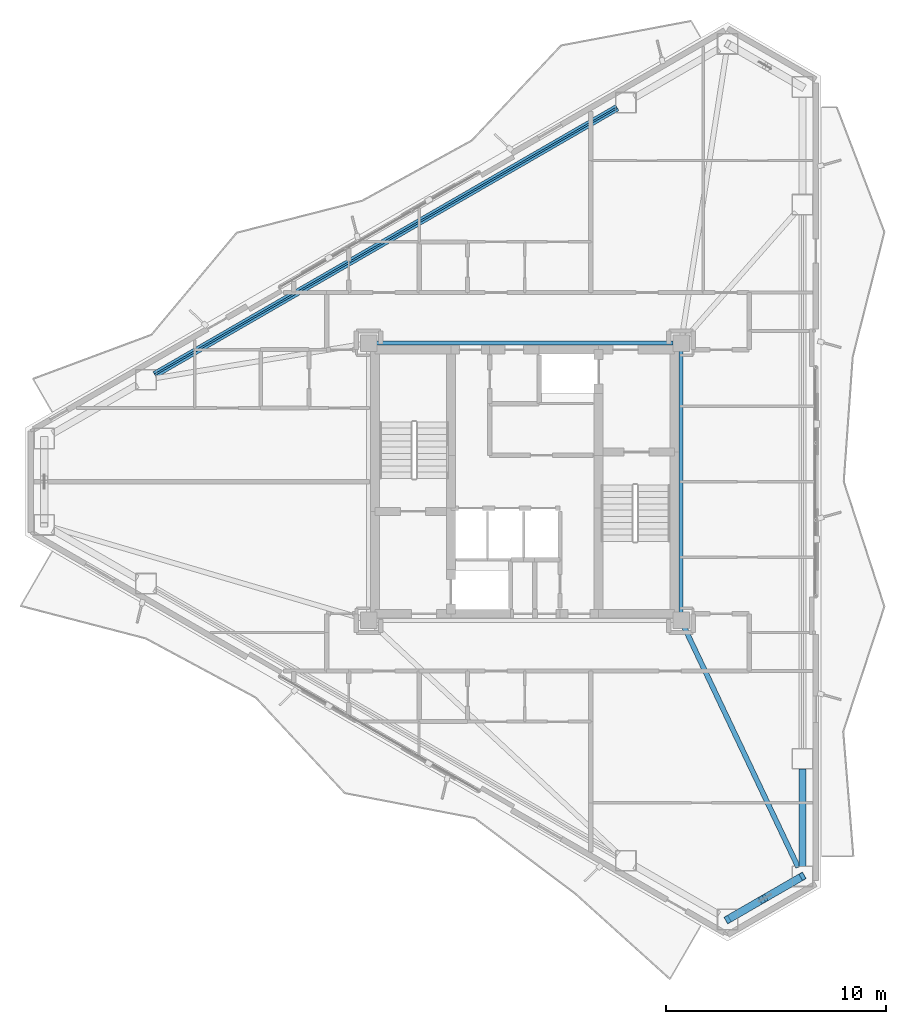
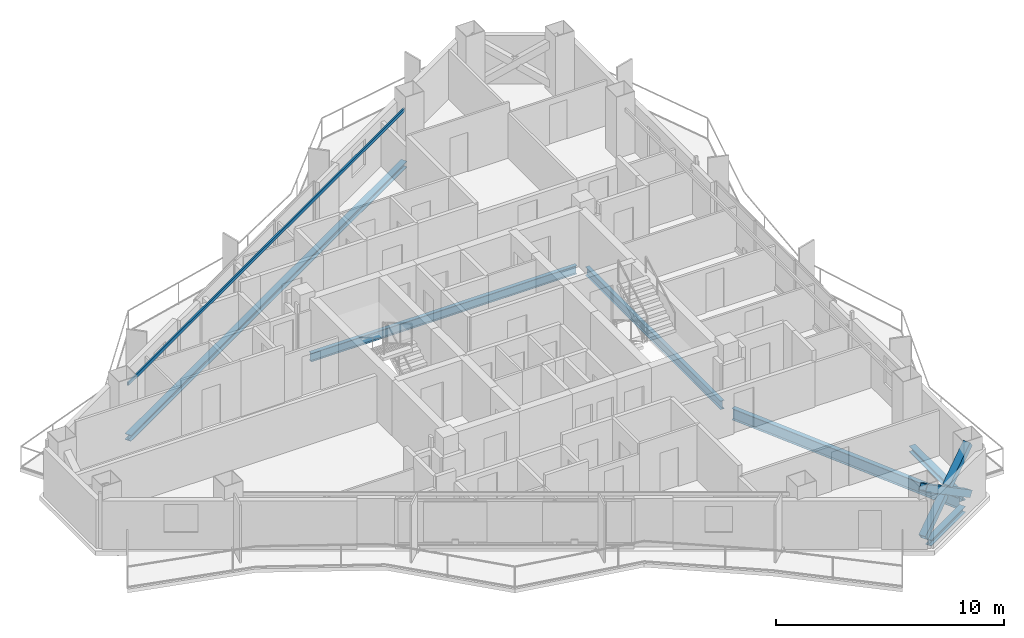
# One storey, part 6 of 18: 7 beams, 3 members.
"""IFC4 building model written with IfcOpenShell, lengths in metres."""

from ifc_helpers import new_model, si_unit, direction, frame, origin, origin_2d, place, context, subcontext, project, spatial, hollow_rectangle, i_section, extrude, material, material_profile, profile_set, type_object, element, save


model = new_model("IFC4")

# Units and contexts
model_context = context("Model", 3, precision=1e-05, world=origin(), true_north=direction((0.0, 1.0)))
body_context = subcontext(model_context, "Body", "Model", "MODEL_VIEW")
ifc_project = project(units=[si_unit("LENGTHUNIT", "METRE"), si_unit("AREAUNIT", "SQUARE_METRE"), si_unit("VOLUMEUNIT", "CUBIC_METRE"), si_unit("PLANEANGLEUNIT", "RADIAN"), si_unit("MASSUNIT", "GRAM", prefix="KILO")], contexts=[model_context])

# Site, building, storey
site_placement = place(None, origin())
site = spatial("IfcSite", under=ifc_project, at=site_placement, CompositionType="ELEMENT")
building_placement = place(site_placement, origin())
building = spatial("IfcBuilding", under=site, at=building_placement, Name="Mersakhor Tower and Convention Hall", CompositionType="ELEMENT")
storey_placement = place(building_placement, frame((0.0, 0.0, 157.5)))
storey = spatial("IfcBuildingStorey", under=building, at=storey_placement, Name="L44", CompositionType="ELEMENT", Elevation=157.5)

# Beams
ifc_material_1 = material(Name="Steel S355", Category="steel")
ifc_material_profile_1 = material_profile(ifc_material_1, i_section(OverallWidth=0.19140625, OverallDepth=0.4599609375, WebThickness=0.010009765625, FlangeThickness=0.01611328125, at=origin_2d()), Name="UB 457x191x82")
ifc_profile_set_1 = profile_set([ifc_material_profile_1], Name="Steel S355")
beam_type_1 = type_object("IfcBeamType", Name="BM-FB-457", PredefinedType="BEAM", material=ifc_profile_set_1)
beam_1_placement = place(storey_placement, frame((22.2548828125, 33.050048828125, -0.469970703125), z_axis=(1.0, 0.0, 0.0), x_axis=(0.0, 1.0, 0.0)))
element("IfcBeam", 1, at=beam_1_placement, inside=storey, type_object=beam_type_1, Name="L44 Core Ring Tie Beam CRB-2", PredefinedType="BEAM", context=body_context, shape_type="SweptSolid", body=[
    extrude(i_section(OverallWidth=0.19140625, OverallDepth=0.4599609375, WebThickness=0.010009765625, FlangeThickness=0.01611328125, at=origin_2d()), origin(), (0.0, 0.0, 1.0), 13.490234375),
])
beam_2_placement = place(storey_placement, frame((36.10009765625, 32.695068359375, -0.469970703125), z_axis=(0.0, -1.0, 0.0), x_axis=(1.0, 0.0, 0.0)))
element("IfcBeam", 2, at=beam_2_placement, inside=storey, type_object=beam_type_1, Name="L44 Core Ring Tie Beam CRB-3", PredefinedType="BEAM", context=body_context, shape_type="SweptSolid", body=[
    extrude(i_section(OverallWidth=0.19140625, OverallDepth=0.4599609375, WebThickness=0.010009765625, FlangeThickness=0.01611328125, at=origin_2d()), origin(), (0.0, 0.0, 1.0), 11.89013671875),
])
ifc_material_2 = material(Name="Steel S355", Category="steel")
ifc_material_profile_2 = material_profile(ifc_material_2, hollow_rectangle(XDim=0.080078125, YDim=0.179931640625, WallThickness=0.008056640625, at=origin_2d()), Name="RHS 180x80x8")
ifc_profile_set_2 = profile_set([ifc_material_profile_2], Name="Steel S355")
beam_type_2 = type_object("IfcBeamType", Name="BM-GRT-RHS180", PredefinedType="USERDEFINED", material=ifc_profile_set_2)
beam_3_placement = place(storey_placement, frame((12.182373046875, 31.61181640625, 2.47998046875), z_axis=(0.866027433267, 0.499996484816, 0.0), x_axis=(-0.499996484816, 0.866027433267, 0.0)))
element("IfcBeam", 3, at=beam_3_placement, inside=storey, type_object=beam_type_2, Name="L44 Facade Support Girt GRT-F1", ObjectType="GIRT", PredefinedType="USERDEFINED", context=body_context, shape_type="SweptSolid", body=[
    extrude(hollow_rectangle(XDim=0.080078125, YDim=0.179931640625, WallThickness=0.008056640625, at=origin_2d()), origin(), (0.0, 0.0, 1.0), 24.267333984375),
])
ifc_material_3 = material(Name="Steel S355", Category="steel")
ifc_material_profile_3 = material_profile(ifc_material_3, i_section(OverallWidth=0.22900390625, OverallDepth=0.6123046875, WebThickness=0.011962890625, FlangeThickness=0.01953125, at=origin_2d()), Name="UB 610x229x125")
ifc_profile_set_3 = profile_set([ifc_material_profile_3], Name="Steel S355")
beam_type_3 = type_object("IfcBeamType", Name="BM-PR-610", PredefinedType="BEAM", material=ifc_profile_set_3)
beam_4_placement = place(storey_placement, frame((36.252197265625, 20.12939453125, -0.546142578125), z_axis=(0.428664675599, -0.903463666061, 0.0), x_axis=(0.903463666061, 0.428664675599, 0.0)))
element("IfcBeam", 4, at=beam_4_placement, inside=storey, type_object=beam_type_3, Name="L44 Primary Floor Girder FG-4", PredefinedType="BEAM", context=body_context, shape_type="SweptSolid", body=[
    extrude(i_section(OverallWidth=0.22900390625, OverallDepth=0.6123046875, WebThickness=0.011962890625, FlangeThickness=0.01953125, at=origin_2d()), origin(), (0.0, 0.0, 1.0), 12.065673828125),
])
ifc_material_4 = material(Name="Steel S355", Category="steel")
ifc_material_profile_4 = material_profile(ifc_material_4, i_section(OverallWidth=0.30908203125, OverallDepth=0.320556640625, WebThickness=0.013916015625, FlangeThickness=0.021728515625, at=origin_2d()), Name="UC 305x305x137")
ifc_profile_set_4 = profile_set([ifc_material_profile_4], Name="Steel S355")
beam_type_4 = type_object("IfcBeamType", Name="BM-SPD-UC305", PredefinedType="SPANDREL", material=ifc_profile_set_4)
beam_5_placement = place(storey_placement, frame((12.182373046875, 31.61181640625, -0.400146484375), z_axis=(0.866027433267, 0.499996484816, 0.0), x_axis=(-0.499996484816, 0.866027433267, 0.0)))
element("IfcBeam", 5, at=beam_5_placement, inside=storey, type_object=beam_type_4, Name="L44 Perimeter Spandrel Beam SPB-02", PredefinedType="SPANDREL", context=body_context, shape_type="SweptSolid", body=[
    extrude(i_section(OverallWidth=0.30908203125, OverallDepth=0.320556640625, WebThickness=0.013916015625, FlangeThickness=0.021728515625, at=origin_2d()), origin(), (0.0, 0.0, 1.0), 24.267333984375),
])
beam_6_placement = place(storey_placement, frame((41.619140625, 13.706298828125, -0.400146484375), z_axis=(0.0, -1.0, 0.0), x_axis=(1.0, 0.0, 0.0)))
element("IfcBeam", 6, at=beam_6_placement, inside=storey, type_object=beam_type_4, Name="L44 Perimeter Spandrel Beam SPB-07", PredefinedType="SPANDREL", context=body_context, shape_type="SweptSolid", body=[
    extrude(i_section(OverallWidth=0.30908203125, OverallDepth=0.320556640625, WebThickness=0.013916015625, FlangeThickness=0.021728515625, at=origin_2d()), origin(), (0.0, 0.0, 1.0), 4.433837890625),
])
beam_7_placement = place(storey_placement, frame((41.22509765625, 8.58984375, -0.400146484375), z_axis=(-0.86604667077, -0.499963162692, 0.0), x_axis=(0.499963162692, -0.86604667077, 0.0)))
element("IfcBeam", 7, at=beam_7_placement, inside=storey, type_object=beam_type_4, Name="L44 Perimeter Spandrel Beam SPB-08", PredefinedType="SPANDREL", context=body_context, shape_type="SweptSolid", body=[
    extrude(i_section(OverallWidth=0.30908203125, OverallDepth=0.320556640625, WebThickness=0.013916015625, FlangeThickness=0.021728515625, at=origin_2d()), origin(), (0.0, 0.0, 1.0), 3.014404296875),
])

# Members
ifc_material_5 = material(Name="Steel S460", Category="steel")
ifc_material_profile_5 = material_profile(ifc_material_5, hollow_rectangle(XDim=0.35009765625, YDim=0.35009765625, WallThickness=0.02001953125, at=origin_2d()), Name="SHS 350x350x20")
ifc_profile_set_5 = profile_set([ifc_material_profile_5], Name="Steel S460")
member_type = type_object("IfcMemberType", Name="MB-BRC-SHS350", PredefinedType="BRACE", material=ifc_profile_set_5)
member_placement = place(storey_placement, frame((41.619140625, 8.8173828125, 0.14990234375), z_axis=(-0.715164230213, -0.412885203522, 0.563973343817), x_axis=(0.499986324622, -0.866033299124, 0.0)))
element("IfcMember", 8, at=member_placement, inside=storey, type_object=member_type, Name="L44 Chamfer Braced Frame Diagonal CB-2A", PredefinedType="BRACE", context=body_context, shape_type="SweptSolid", body=[
    extrude(hollow_rectangle(XDim=0.35009765625, YDim=0.35009765625, WallThickness=0.02001953125, at=origin_2d()), origin(), (0.0, 0.0, 1.0), 4.752197265625),
])
for number, where, z_axis, x_axis, name in (
    (9, (38.220458984375, 6.855224609375, 0.14990234375), (0.715211025131, 0.412867238086, 0.563927152428), (-0.499945471869, 0.866056883327, 0.0), "L44 Chamfer Braced Frame Diagonal CB-2B Lower Half"),
    (10, (40.059814453125, 7.917236328125, 1.6005859375), (0.715211025131, 0.412867238086, 0.563927152428), (-0.499945471869, 0.866056883327, 0.0), "L44 Chamfer Braced Frame Diagonal CB-2B Upper Half"),
):
    element("IfcMember", number, at=place(storey_placement, frame(where, z_axis=z_axis, x_axis=x_axis)), inside=storey, type_object=member_type, Name=name, PredefinedType="BRACE", context=body_context, shape_type="SweptSolid", body=[
        extrude(hollow_rectangle(XDim=0.35009765625, YDim=0.35009765625, WallThickness=0.02001953125, at=origin_2d()), origin(), (0.0, 0.0, 1.0), 2.18017578125),
    ])

save(model, "model.ifc")
